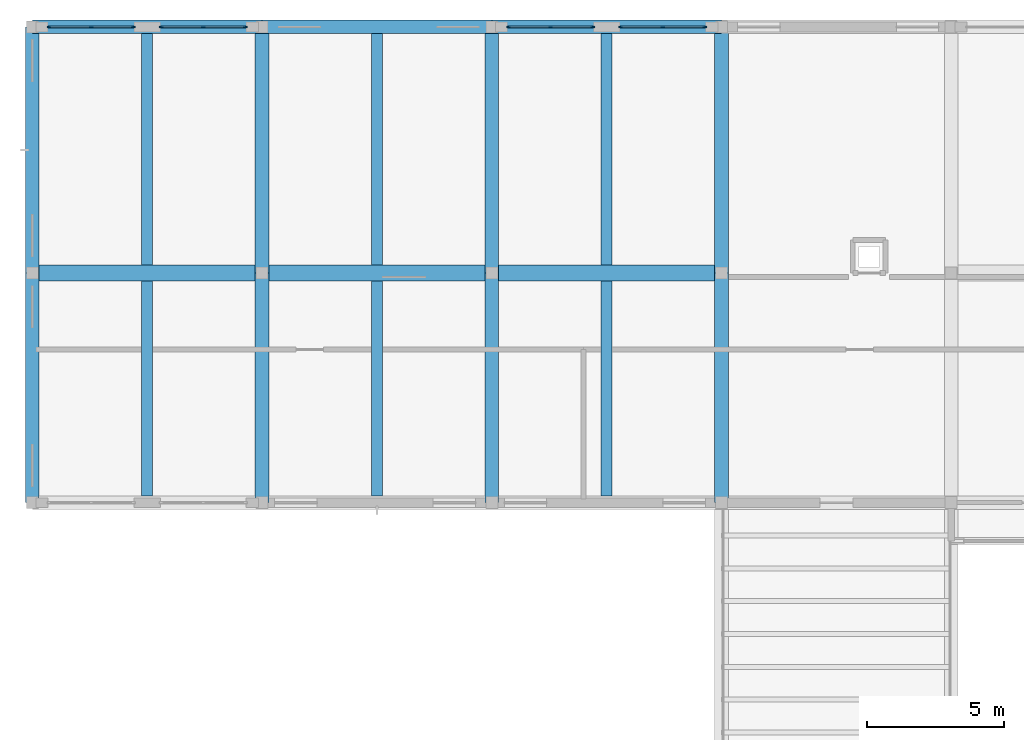
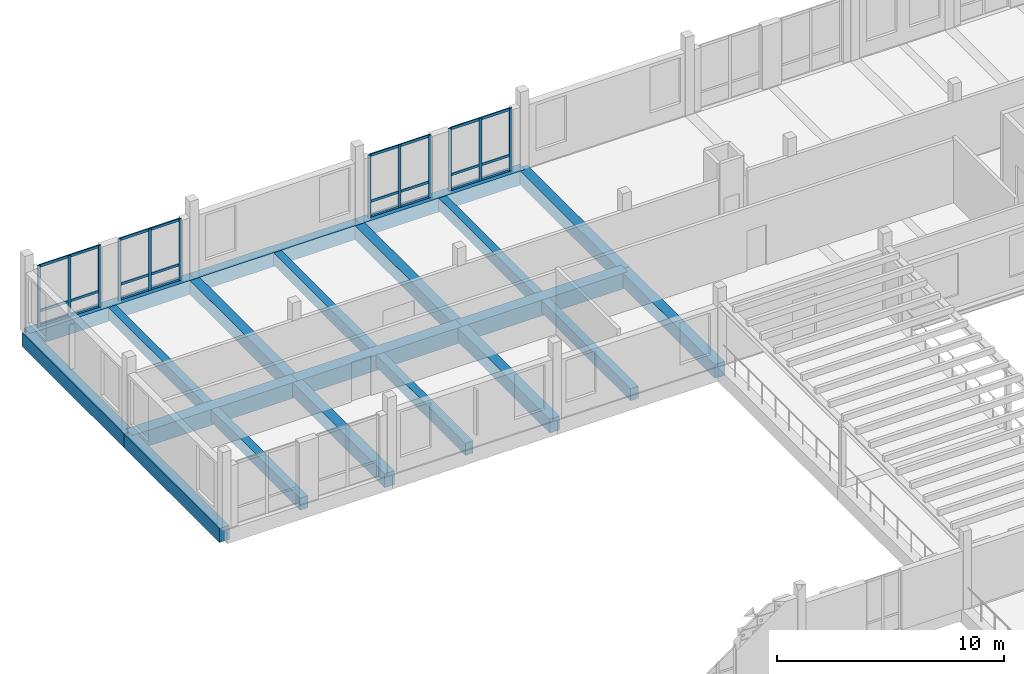
# One storey, part 35 of 99: 24 members, 20 beams, 4 elements without a shape of their own.
"""IFC4 building model written with IfcOpenShell, lengths in metres."""

from ifc_helpers import new_model, si_unit, direction, frame, origin, origin_2d, place, context, subcontext, project, spatial, rectangle, extrude, material, material_profile, profile_set, type_object, element, aggregate, save


model = new_model("IFC4")

# Units and contexts
model_context = context("Model", 3, precision=1e-05, world=origin(), true_north=direction((0.0, 1.0)))
body_context = subcontext(model_context, "Body", "Model", "MODEL_VIEW")
ifc_project = project(units=[si_unit("LENGTHUNIT", "METRE"), si_unit("AREAUNIT", "SQUARE_METRE"), si_unit("VOLUMEUNIT", "CUBIC_METRE"), si_unit("PLANEANGLEUNIT", "RADIAN"), si_unit("MASSUNIT", "GRAM", prefix="KILO")], contexts=[model_context])

# Site, building, storey
site_placement = place(None, origin())
site = spatial("IfcSite", under=ifc_project, at=site_placement, CompositionType="ELEMENT")
building_placement = place(site_placement, origin())
building = spatial("IfcBuilding", under=site, at=building_placement, Name="Kahlenmark Community Centre", CompositionType="ELEMENT")
storey_placement = place(building_placement, frame((0.0, 0.0, 5.39990234375)))
storey = spatial("IfcBuildingStorey", under=building, at=storey_placement, Name="L01", CompositionType="ELEMENT", Elevation=5.39990234375)

# Beams
ifc_material_1 = material(Name="Concrete C35/45", Category="concrete")
ifc_material_profile_1 = material_profile(ifc_material_1, rectangle(XDim=0.5, YDim=0.75, at=origin_2d()), Name="RC 500x750")
ifc_profile_set_1 = profile_set([ifc_material_profile_1], Name="Concrete C35/45")
beam_type_1 = type_object("IfcBeamType", Name="BT-BEAM-RC500x750", PredefinedType="BEAM", material=ifc_profile_set_1)
beam_1_placement = place(storey_placement, frame((12.39990234375, 97.60009765625, -0.375), z_axis=(0.0, 1.0, 0.0), x_axis=(-1.0, 0.0, 0.0)))
element("IfcBeam", 1, at=beam_1_placement, inside=storey, type_object=beam_type_1, Name="L01 beam BG-RC500x750", PredefinedType="BEAM", context=body_context, shape_type="SweptSolid", body=[
    extrude(rectangle(XDim=0.5, YDim=0.75, at=origin_2d()), origin(), (0.0, 0.0, 1.0), 8.39990234375),
])
beam_2_placement = place(storey_placement, frame((12.39990234375, 106.0, -0.375), z_axis=(0.0, 1.0, 0.0), x_axis=(-1.0, 0.0, 0.0)))
element("IfcBeam", 2, at=beam_2_placement, inside=storey, type_object=beam_type_1, Name="L01 beam BG-RC500x750", PredefinedType="BEAM", context=body_context, shape_type="SweptSolid", body=[
    extrude(rectangle(XDim=0.5, YDim=0.75, at=origin_2d()), origin(), (0.0, 0.0, 1.0), 9.0),
])
beam_3_placement = place(storey_placement, frame((20.800048828125, 97.60009765625, -0.375), z_axis=(0.0, 1.0, 0.0), x_axis=(-1.0, 0.0, 0.0)))
element("IfcBeam", 3, at=beam_3_placement, inside=storey, type_object=beam_type_1, Name="L01 beam BG-RC500x750", PredefinedType="BEAM", context=body_context, shape_type="SweptSolid", body=[
    extrude(rectangle(XDim=0.5, YDim=0.75, at=origin_2d()), origin(), (0.0, 0.0, 1.0), 8.39990234375),
])
beam_4_placement = place(storey_placement, frame((20.800048828125, 106.0, -0.375), z_axis=(0.0, 1.0, 0.0), x_axis=(-1.0, 0.0, 0.0)))
element("IfcBeam", 4, at=beam_4_placement, inside=storey, type_object=beam_type_1, Name="L01 beam BG-RC500x750", PredefinedType="BEAM", context=body_context, shape_type="SweptSolid", body=[
    extrude(rectangle(XDim=0.5, YDim=0.75, at=origin_2d()), origin(), (0.0, 0.0, 1.0), 9.0),
])
beam_5_placement = place(storey_placement, frame((29.199951171875, 97.60009765625, -0.375), z_axis=(0.0, 1.0, 0.0), x_axis=(-1.0, 0.0, 0.0)))
element("IfcBeam", 5, at=beam_5_placement, inside=storey, type_object=beam_type_1, Name="L01 beam BG-RC500x750", PredefinedType="BEAM", context=body_context, shape_type="SweptSolid", body=[
    extrude(rectangle(XDim=0.5, YDim=0.75, at=origin_2d()), origin(), (0.0, 0.0, 1.0), 8.39990234375),
])
beam_6_placement = place(storey_placement, frame((29.199951171875, 106.0, -0.375), z_axis=(0.0, 1.0, 0.0), x_axis=(-1.0, 0.0, 0.0)))
element("IfcBeam", 6, at=beam_6_placement, inside=storey, type_object=beam_type_1, Name="L01 beam BG-RC500x750", PredefinedType="BEAM", context=body_context, shape_type="SweptSolid", body=[
    extrude(rectangle(XDim=0.5, YDim=0.75, at=origin_2d()), origin(), (0.0, 0.0, 1.0), 9.0),
])
ifc_material_profile_2 = material_profile(ifc_material_1, rectangle(XDim=0.60009765625, YDim=0.85009765625, at=origin_2d()), Name="RC 600x850")
ifc_profile_set_2 = profile_set([ifc_material_profile_2], Name="Concrete C35/45")
beam_type_2 = type_object("IfcBeamType", Name="BT-BEAM-RC600x850", PredefinedType="BEAM", material=ifc_profile_set_2)
beam_7_placement = place(storey_placement, frame((4.0, 106.0, -0.4248046875), z_axis=(1.0, 0.0, 0.0), x_axis=(0.0, 1.0, 0.0)))
element("IfcBeam", 7, at=beam_7_placement, inside=storey, type_object=beam_type_2, Name="L01 beam BG-RC600x850", PredefinedType="BEAM", context=body_context, shape_type="SweptSolid", body=[
    extrude(rectangle(XDim=0.60009765625, YDim=0.85009765625, at=origin_2d()), origin(), (0.0, 0.0, 1.0), 8.39990234375),
])
beam_8_placement = place(storey_placement, frame((12.39990234375, 106.0, -0.4248046875), z_axis=(1.0, 0.0, 0.0), x_axis=(0.0, 1.0, 0.0)))
element("IfcBeam", 8, at=beam_8_placement, inside=storey, type_object=beam_type_2, Name="L01 beam BG-RC600x850", PredefinedType="BEAM", context=body_context, shape_type="SweptSolid", body=[
    extrude(rectangle(XDim=0.60009765625, YDim=0.85009765625, at=origin_2d()), origin(), (0.0, 0.0, 1.0), 8.400146484375),
])
beam_9_placement = place(storey_placement, frame((20.800048828125, 106.0, -0.4248046875), z_axis=(1.0, 0.0, 0.0), x_axis=(0.0, 1.0, 0.0)))
element("IfcBeam", 9, at=beam_9_placement, inside=storey, type_object=beam_type_2, Name="L01 beam BG-RC600x850", PredefinedType="BEAM", context=body_context, shape_type="SweptSolid", body=[
    extrude(rectangle(XDim=0.60009765625, YDim=0.85009765625, at=origin_2d()), origin(), (0.0, 0.0, 1.0), 8.39990234375),
])
ifc_material_profile_3 = material_profile(ifc_material_1, rectangle(XDim=0.39990234375, YDim=0.64990234375, at=origin_2d()), Name="RC 400x650")
ifc_profile_set_3 = profile_set([ifc_material_profile_3], Name="Concrete C35/45")
beam_type_3 = type_object("IfcBeamType", Name="BT-JOIST-RC400x650", PredefinedType="JOIST", material=ifc_profile_set_3)
beam_10_placement = place(storey_placement, frame((8.199951171875, 97.847900390625, -0.324951171875), z_axis=(0.0, 1.0, 0.0), x_axis=(-1.0, 0.0, 0.0)))
element("IfcBeam", 10, at=beam_10_placement, inside=storey, type_object=beam_type_3, Name="L01 joist BJ-RC400x650", PredefinedType="JOIST", context=body_context, shape_type="SweptSolid", body=[
    extrude(rectangle(XDim=0.39990234375, YDim=0.64990234375, at=origin_2d()), origin(), (0.0, 0.0, 1.0), 7.85400390625),
])
beam_11_placement = place(storey_placement, frame((8.199951171875, 106.298095703125, -0.324951171875), z_axis=(0.0, 1.0, 0.0), x_axis=(-1.0, 0.0, 0.0)))
element("IfcBeam", 11, at=beam_11_placement, inside=storey, type_object=beam_type_3, Name="L01 joist BJ-RC400x650", PredefinedType="JOIST", context=body_context, shape_type="SweptSolid", body=[
    extrude(rectangle(XDim=0.39990234375, YDim=0.64990234375, at=origin_2d()), origin(), (0.0, 0.0, 1.0), 8.453857421875),
])
beam_12_placement = place(storey_placement, frame((16.60009765625, 97.847900390625, -0.324951171875), z_axis=(0.0, 1.0, 0.0), x_axis=(-1.0, 0.0, 0.0)))
element("IfcBeam", 12, at=beam_12_placement, inside=storey, type_object=beam_type_3, Name="L01 joist BJ-RC400x650", PredefinedType="JOIST", context=body_context, shape_type="SweptSolid", body=[
    extrude(rectangle(XDim=0.39990234375, YDim=0.64990234375, at=origin_2d()), origin(), (0.0, 0.0, 1.0), 7.85400390625),
])
beam_13_placement = place(storey_placement, frame((16.60009765625, 106.298095703125, -0.324951171875), z_axis=(0.0, 1.0, 0.0), x_axis=(-1.0, 0.0, 0.0)))
element("IfcBeam", 13, at=beam_13_placement, inside=storey, type_object=beam_type_3, Name="L01 joist BJ-RC400x650", PredefinedType="JOIST", context=body_context, shape_type="SweptSolid", body=[
    extrude(rectangle(XDim=0.39990234375, YDim=0.64990234375, at=origin_2d()), origin(), (0.0, 0.0, 1.0), 8.453857421875),
])
beam_14_placement = place(storey_placement, frame((25.0, 97.847900390625, -0.324951171875), z_axis=(0.0, 1.0, 0.0), x_axis=(-1.0, 0.0, 0.0)))
element("IfcBeam", 14, at=beam_14_placement, inside=storey, type_object=beam_type_3, Name="L01 joist BJ-RC400x650", PredefinedType="JOIST", context=body_context, shape_type="SweptSolid", body=[
    extrude(rectangle(XDim=0.39990234375, YDim=0.64990234375, at=origin_2d()), origin(), (0.0, 0.0, 1.0), 7.85400390625),
])
beam_15_placement = place(storey_placement, frame((25.0, 106.298095703125, -0.324951171875), z_axis=(0.0, 1.0, 0.0), x_axis=(-1.0, 0.0, 0.0)))
element("IfcBeam", 15, at=beam_15_placement, inside=storey, type_object=beam_type_3, Name="L01 joist BJ-RC400x650", PredefinedType="JOIST", context=body_context, shape_type="SweptSolid", body=[
    extrude(rectangle(XDim=0.39990234375, YDim=0.64990234375, at=origin_2d()), origin(), (0.0, 0.0, 1.0), 8.453857421875),
])
ifc_material_profile_4 = material_profile(ifc_material_1, rectangle(XDim=0.5, YDim=0.75, at=origin_2d()), Name="RC 500x750")
ifc_profile_set_4 = profile_set([ifc_material_profile_4], Name="Concrete C35/45")
beam_type_4 = type_object("IfcBeamType", Name="BT-SPANDREL-RC500x750", PredefinedType="SPANDREL", material=ifc_profile_set_4)
beam_16_placement = place(storey_placement, frame((4.0, 115.0, -0.375), z_axis=(1.0, 0.0, 0.0), x_axis=(0.0, 1.0, 0.0)))
element("IfcBeam", 16, at=beam_16_placement, inside=storey, type_object=beam_type_4, Name="L01 spandrel SP-RC500x750", PredefinedType="SPANDREL", context=body_context, shape_type="SweptSolid", body=[
    extrude(rectangle(XDim=0.5, YDim=0.75, at=origin_2d()), origin(), (0.0, 0.0, 1.0), 8.39990234375),
])
beam_17_placement = place(storey_placement, frame((12.39990234375, 115.0, -0.375), z_axis=(1.0, 0.0, 0.0), x_axis=(0.0, 1.0, 0.0)))
element("IfcBeam", 17, at=beam_17_placement, inside=storey, type_object=beam_type_4, Name="L01 spandrel SP-RC500x750", PredefinedType="SPANDREL", context=body_context, shape_type="SweptSolid", body=[
    extrude(rectangle(XDim=0.5, YDim=0.75, at=origin_2d()), origin(), (0.0, 0.0, 1.0), 8.400146484375),
])
for number, where, z_axis, x_axis, name in (
    (18, (20.800048828125, 115.0, -0.375), (1.0, 0.0, 0.0), (0.0, 1.0, 0.0), "L01 spandrel SP-RC500x750"),
    (19, (4.0, 97.60009765625, -0.375), (0.0, 1.0, 0.0), (-1.0, 0.0, 0.0), "L01 spandrel SP-RC500x750"),
):
    element("IfcBeam", number, at=place(storey_placement, frame(where, z_axis=z_axis, x_axis=x_axis)), inside=storey, type_object=beam_type_4, Name=name, PredefinedType="SPANDREL", context=body_context, shape_type="SweptSolid", body=[
        extrude(rectangle(XDim=0.5, YDim=0.75, at=origin_2d()), origin(), (0.0, 0.0, 1.0), 8.39990234375),
    ])
beam_18_placement = place(storey_placement, frame((4.0, 106.0, -0.375), z_axis=(0.0, 1.0, 0.0), x_axis=(-1.0, 0.0, 0.0)))
element("IfcBeam", 20, at=beam_18_placement, inside=storey, type_object=beam_type_4, Name="L01 spandrel SP-RC500x750", PredefinedType="SPANDREL", context=body_context, shape_type="SweptSolid", body=[
    extrude(rectangle(XDim=0.5, YDim=0.75, at=origin_2d()), origin(), (0.0, 0.0, 1.0), 9.0),
])

# Curtain wall, members
ifc_material_2 = material(Name="Anodised aluminium unitised curtain wall", Category="aluminium")
curtain_wall_type_1 = type_object("IfcCurtainWallType", Name="CWT-UNIT-314X331", PredefinedType="USERDEFINED", material=ifc_material_2)
curtain_wall_1_placement = place(storey_placement, origin())
curtain_wall_1 = element("IfcCurtainWall", 21, at=curtain_wall_1_placement, inside=storey, type_object=curtain_wall_type_1, Name="Unitised curtain wall CW-030", ObjectType="UNITISED CURTAIN WALL", PredefinedType="USERDEFINED")
ifc_material_3 = material(Name="Anodised aluminium 6063-T6", Category="aluminium")
ifc_material_profile_5 = material_profile(ifc_material_3, rectangle(XDim=0.06005859375, YDim=0.139892578125, at=origin_2d()), Name="ALU MULLION 60x140")
ifc_profile_set_5 = profile_set([ifc_material_profile_5], Name="Anodised aluminium 6063-T6")
member_type_1 = type_object("IfcMemberType", Name="MT-MUL-140", PredefinedType="MULLION", material=ifc_profile_set_5)
member_1_placement = place(storey_placement, frame((11.7900390625, 115.0, 0.0), z_axis=(0.0, 0.0, 1.0), x_axis=(0.0, -1.0, 0.0)))
member_1 = element("IfcMember", 22, at=member_1_placement, type_object=member_type_1, Name="CW-030 mullion 1", PredefinedType="MULLION", context=body_context, shape_type="SweptSolid", body=[
    extrude(rectangle(XDim=0.06005859375, YDim=0.139892578125, at=origin_2d()), origin(), (0.0, 0.0, 1.0), 3.31005859375),
])
member_2_placement = place(storey_placement, frame((10.25, 115.0, 0.0), z_axis=(0.0, 0.0, 1.0), x_axis=(0.0, -1.0, 0.0)))
member_2 = element("IfcMember", 23, at=member_2_placement, type_object=member_type_1, Name="CW-030 mullion 2", PredefinedType="MULLION", context=body_context, shape_type="SweptSolid", body=[
    extrude(rectangle(XDim=0.06005859375, YDim=0.139892578125, at=origin_2d()), origin(), (0.0, 0.0, 1.0), 3.31005859375),
])
member_3_placement = place(storey_placement, frame((8.7099609375, 115.0, 0.0), z_axis=(0.0, 0.0, 1.0), x_axis=(0.0, -1.0, 0.0)))
member_3 = element("IfcMember", 24, at=member_3_placement, type_object=member_type_1, Name="CW-030 mullion 3", PredefinedType="MULLION", context=body_context, shape_type="SweptSolid", body=[
    extrude(rectangle(XDim=0.06005859375, YDim=0.139892578125, at=origin_2d()), origin(), (0.0, 0.0, 1.0), 3.31005859375),
])

curtain_wall_2_placement = place(storey_placement, origin())
curtain_wall_2 = element("IfcCurtainWall", 25, at=curtain_wall_2_placement, inside=storey, type_object=curtain_wall_type_1, Name="Unitised curtain wall CW-031", ObjectType="UNITISED CURTAIN WALL", PredefinedType="USERDEFINED")
member_4_placement = place(storey_placement, frame((7.68994140625, 115.0, 0.0), z_axis=(0.0, 0.0, 1.0), x_axis=(0.0, -1.0, 0.0)))
member_4 = element("IfcMember", 26, at=member_4_placement, type_object=member_type_1, Name="CW-031 mullion 1", PredefinedType="MULLION", context=body_context, shape_type="SweptSolid", body=[
    extrude(rectangle(XDim=0.06005859375, YDim=0.139892578125, at=origin_2d()), origin(), (0.0, 0.0, 1.0), 3.31005859375),
])
member_5_placement = place(storey_placement, frame((6.14990234375, 115.0, 0.0), z_axis=(0.0, 0.0, 1.0), x_axis=(0.0, -1.0, 0.0)))
member_5 = element("IfcMember", 27, at=member_5_placement, type_object=member_type_1, Name="CW-031 mullion 2", PredefinedType="MULLION", context=body_context, shape_type="SweptSolid", body=[
    extrude(rectangle(XDim=0.06005859375, YDim=0.139892578125, at=origin_2d()), origin(), (0.0, 0.0, 1.0), 3.31005859375),
])
member_6_placement = place(storey_placement, frame((4.610107421875, 115.0, 0.0), z_axis=(0.0, 0.0, 1.0), x_axis=(0.0, -1.0, 0.0)))
member_6 = element("IfcMember", 28, at=member_6_placement, type_object=member_type_1, Name="CW-031 mullion 3", PredefinedType="MULLION", context=body_context, shape_type="SweptSolid", body=[
    extrude(rectangle(XDim=0.06005859375, YDim=0.139892578125, at=origin_2d()), origin(), (0.0, 0.0, 1.0), 3.31005859375),
])

curtain_wall_type_2 = type_object("IfcCurtainWallType", Name="CWT-UNIT-314X337", PredefinedType="USERDEFINED", material=ifc_material_2)
curtain_wall_3_placement = place(storey_placement, origin())
curtain_wall_3 = element("IfcCurtainWall", 29, at=curtain_wall_3_placement, inside=storey, type_object=curtain_wall_type_2, Name="Unitised curtain wall CW-032", ObjectType="UNITISED CURTAIN WALL", PredefinedType="USERDEFINED")
member_7_placement = place(storey_placement, frame((28.590087890625, 115.0, 0.0), z_axis=(0.0, 0.0, 1.0), x_axis=(0.0, -1.0, 0.0)))
member_7 = element("IfcMember", 30, at=member_7_placement, type_object=member_type_1, Name="CW-032 mullion 1", PredefinedType="MULLION", context=body_context, shape_type="SweptSolid", body=[
    extrude(rectangle(XDim=0.06005859375, YDim=0.139892578125, at=origin_2d()), origin(), (0.0, 0.0, 1.0), 3.3701171875),
])
member_8_placement = place(storey_placement, frame((27.050048828125, 115.0, 0.0), z_axis=(0.0, 0.0, 1.0), x_axis=(0.0, -1.0, 0.0)))
member_8 = element("IfcMember", 31, at=member_8_placement, type_object=member_type_1, Name="CW-032 mullion 2", PredefinedType="MULLION", context=body_context, shape_type="SweptSolid", body=[
    extrude(rectangle(XDim=0.06005859375, YDim=0.139892578125, at=origin_2d()), origin(), (0.0, 0.0, 1.0), 3.3701171875),
])
member_9_placement = place(storey_placement, frame((25.510009765625, 115.0, 0.0), z_axis=(0.0, 0.0, 1.0), x_axis=(0.0, -1.0, 0.0)))
member_9 = element("IfcMember", 32, at=member_9_placement, type_object=member_type_1, Name="CW-032 mullion 3", PredefinedType="MULLION", context=body_context, shape_type="SweptSolid", body=[
    extrude(rectangle(XDim=0.06005859375, YDim=0.139892578125, at=origin_2d()), origin(), (0.0, 0.0, 1.0), 3.3701171875),
])

curtain_wall_4_placement = place(storey_placement, origin())
curtain_wall_4 = element("IfcCurtainWall", 33, at=curtain_wall_4_placement, inside=storey, type_object=curtain_wall_type_2, Name="Unitised curtain wall CW-033", ObjectType="UNITISED CURTAIN WALL", PredefinedType="USERDEFINED")
member_10_placement = place(storey_placement, frame((24.489990234375, 115.0, 0.0), z_axis=(0.0, 0.0, 1.0), x_axis=(0.0, -1.0, 0.0)))
member_10 = element("IfcMember", 34, at=member_10_placement, type_object=member_type_1, Name="CW-033 mullion 1", PredefinedType="MULLION", context=body_context, shape_type="SweptSolid", body=[
    extrude(rectangle(XDim=0.06005859375, YDim=0.139892578125, at=origin_2d()), origin(), (0.0, 0.0, 1.0), 3.3701171875),
])
member_11_placement = place(storey_placement, frame((22.949951171875, 115.0, 0.0), z_axis=(0.0, 0.0, 1.0), x_axis=(0.0, -1.0, 0.0)))
member_11 = element("IfcMember", 35, at=member_11_placement, type_object=member_type_1, Name="CW-033 mullion 2", PredefinedType="MULLION", context=body_context, shape_type="SweptSolid", body=[
    extrude(rectangle(XDim=0.06005859375, YDim=0.139892578125, at=origin_2d()), origin(), (0.0, 0.0, 1.0), 3.3701171875),
])
member_12_placement = place(storey_placement, frame((21.409912109375, 115.0, 0.0), z_axis=(0.0, 0.0, 1.0), x_axis=(0.0, -1.0, 0.0)))
member_12 = element("IfcMember", 36, at=member_12_placement, type_object=member_type_1, Name="CW-033 mullion 3", PredefinedType="MULLION", context=body_context, shape_type="SweptSolid", body=[
    extrude(rectangle(XDim=0.06005859375, YDim=0.139892578125, at=origin_2d()), origin(), (0.0, 0.0, 1.0), 3.3701171875),
])

# Member
ifc_material_profile_6 = material_profile(ifc_material_3, rectangle(XDim=0.06005859375, YDim=0.139892578125, at=origin_2d()), Name="ALU TRANSOM 60x140")
ifc_profile_set_6 = profile_set([ifc_material_profile_6], Name="Anodised aluminium 6063-T6")
member_type_2 = type_object("IfcMemberType", Name="MT-TRN-140", PredefinedType="USERDEFINED", material=ifc_profile_set_6)
member_13_placement = place(storey_placement, frame((11.7900390625, 115.0, 0.0400390625), z_axis=(-1.0, 0.0, 0.0), x_axis=(0.0, -1.0, 0.0)))
member_13 = element("IfcMember", 37, at=member_13_placement, type_object=member_type_2, Name="CW-030 transom 1", ObjectType="TRANSOM", PredefinedType="USERDEFINED", context=body_context, shape_type="SweptSolid", body=[
    extrude(rectangle(XDim=0.06005859375, YDim=0.139892578125, at=origin_2d()), origin(), (0.0, 0.0, 1.0), 3.080078125),
])

member_14_placement = place(storey_placement, frame((11.7900390625, 115.0, 0.85009765625), z_axis=(-1.0, 0.0, 0.0), x_axis=(0.0, -1.0, 0.0)))
member_14 = element("IfcMember", 38, at=member_14_placement, type_object=member_type_2, Name="CW-030 transom 2", ObjectType="TRANSOM", PredefinedType="USERDEFINED", context=body_context, shape_type="SweptSolid", body=[
    extrude(rectangle(XDim=0.06005859375, YDim=0.139892578125, at=origin_2d()), origin(), (0.0, 0.0, 1.0), 3.080078125),
])

member_15_placement = place(storey_placement, frame((11.7900390625, 115.0, 3.27001953125), z_axis=(-1.0, 0.0, 0.0), x_axis=(0.0, -1.0, 0.0)))
member_15 = element("IfcMember", 39, at=member_15_placement, type_object=member_type_2, Name="CW-030 transom 3", ObjectType="TRANSOM", PredefinedType="USERDEFINED", context=body_context, shape_type="SweptSolid", body=[
    extrude(rectangle(XDim=0.06005859375, YDim=0.139892578125, at=origin_2d()), origin(), (0.0, 0.0, 1.0), 3.080078125),
])

aggregate(curtain_wall_1, [member_1, member_2, member_3, member_13, member_14, member_15])

member_16_placement = place(storey_placement, frame((7.68994140625, 115.0, 0.0400390625), z_axis=(-1.0, 0.0, 0.0), x_axis=(0.0, -1.0, 0.0)))
member_16 = element("IfcMember", 40, at=member_16_placement, type_object=member_type_2, Name="CW-031 transom 1", ObjectType="TRANSOM", PredefinedType="USERDEFINED", context=body_context, shape_type="SweptSolid", body=[
    extrude(rectangle(XDim=0.06005859375, YDim=0.139892578125, at=origin_2d()), origin(), (0.0, 0.0, 1.0), 3.079833984375),
])

member_17_placement = place(storey_placement, frame((7.68994140625, 115.0, 0.85009765625), z_axis=(-1.0, 0.0, 0.0), x_axis=(0.0, -1.0, 0.0)))
member_17 = element("IfcMember", 41, at=member_17_placement, type_object=member_type_2, Name="CW-031 transom 2", ObjectType="TRANSOM", PredefinedType="USERDEFINED", context=body_context, shape_type="SweptSolid", body=[
    extrude(rectangle(XDim=0.06005859375, YDim=0.139892578125, at=origin_2d()), origin(), (0.0, 0.0, 1.0), 3.079833984375),
])

member_18_placement = place(storey_placement, frame((7.68994140625, 115.0, 3.27001953125), z_axis=(-1.0, 0.0, 0.0), x_axis=(0.0, -1.0, 0.0)))
member_18 = element("IfcMember", 42, at=member_18_placement, type_object=member_type_2, Name="CW-031 transom 3", ObjectType="TRANSOM", PredefinedType="USERDEFINED", context=body_context, shape_type="SweptSolid", body=[
    extrude(rectangle(XDim=0.06005859375, YDim=0.139892578125, at=origin_2d()), origin(), (0.0, 0.0, 1.0), 3.079833984375),
])

aggregate(curtain_wall_2, [member_4, member_5, member_6, member_16, member_17, member_18])

member_19_placement = place(storey_placement, frame((28.590087890625, 115.0, 0.0400390625), z_axis=(-1.0, 0.0, 0.0), x_axis=(0.0, -1.0, 0.0)))
member_19 = element("IfcMember", 43, at=member_19_placement, type_object=member_type_2, Name="CW-032 transom 1", ObjectType="TRANSOM", PredefinedType="USERDEFINED", context=body_context, shape_type="SweptSolid", body=[
    extrude(rectangle(XDim=0.06005859375, YDim=0.139892578125, at=origin_2d()), origin(), (0.0, 0.0, 1.0), 3.080078125),
])

member_20_placement = place(storey_placement, frame((28.590087890625, 115.0, 0.85009765625), z_axis=(-1.0, 0.0, 0.0), x_axis=(0.0, -1.0, 0.0)))
member_20 = element("IfcMember", 44, at=member_20_placement, type_object=member_type_2, Name="CW-032 transom 2", ObjectType="TRANSOM", PredefinedType="USERDEFINED", context=body_context, shape_type="SweptSolid", body=[
    extrude(rectangle(XDim=0.06005859375, YDim=0.139892578125, at=origin_2d()), origin(), (0.0, 0.0, 1.0), 3.080078125),
])

member_21_placement = place(storey_placement, frame((28.590087890625, 115.0, 3.330078125), z_axis=(-1.0, 0.0, 0.0), x_axis=(0.0, -1.0, 0.0)))
member_21 = element("IfcMember", 45, at=member_21_placement, type_object=member_type_2, Name="CW-032 transom 3", ObjectType="TRANSOM", PredefinedType="USERDEFINED", context=body_context, shape_type="SweptSolid", body=[
    extrude(rectangle(XDim=0.06005859375, YDim=0.139892578125, at=origin_2d()), origin(), (0.0, 0.0, 1.0), 3.080078125),
])

aggregate(curtain_wall_3, [member_7, member_8, member_9, member_19, member_20, member_21])

member_22_placement = place(storey_placement, frame((24.489990234375, 115.0, 0.0400390625), z_axis=(-1.0, 0.0, 0.0), x_axis=(0.0, -1.0, 0.0)))
member_22 = element("IfcMember", 46, at=member_22_placement, type_object=member_type_2, Name="CW-033 transom 1", ObjectType="TRANSOM", PredefinedType="USERDEFINED", context=body_context, shape_type="SweptSolid", body=[
    extrude(rectangle(XDim=0.06005859375, YDim=0.139892578125, at=origin_2d()), origin(), (0.0, 0.0, 1.0), 3.080078125),
])

member_23_placement = place(storey_placement, frame((24.489990234375, 115.0, 0.85009765625), z_axis=(-1.0, 0.0, 0.0), x_axis=(0.0, -1.0, 0.0)))
member_23 = element("IfcMember", 47, at=member_23_placement, type_object=member_type_2, Name="CW-033 transom 2", ObjectType="TRANSOM", PredefinedType="USERDEFINED", context=body_context, shape_type="SweptSolid", body=[
    extrude(rectangle(XDim=0.06005859375, YDim=0.139892578125, at=origin_2d()), origin(), (0.0, 0.0, 1.0), 3.080078125),
])

member_24_placement = place(storey_placement, frame((24.489990234375, 115.0, 3.330078125), z_axis=(-1.0, 0.0, 0.0), x_axis=(0.0, -1.0, 0.0)))
member_24 = element("IfcMember", 48, at=member_24_placement, type_object=member_type_2, Name="CW-033 transom 3", ObjectType="TRANSOM", PredefinedType="USERDEFINED", context=body_context, shape_type="SweptSolid", body=[
    extrude(rectangle(XDim=0.06005859375, YDim=0.139892578125, at=origin_2d()), origin(), (0.0, 0.0, 1.0), 3.080078125),
])

aggregate(curtain_wall_4, [member_10, member_11, member_12, member_22, member_23, member_24])

save(model, "model.ifc")
